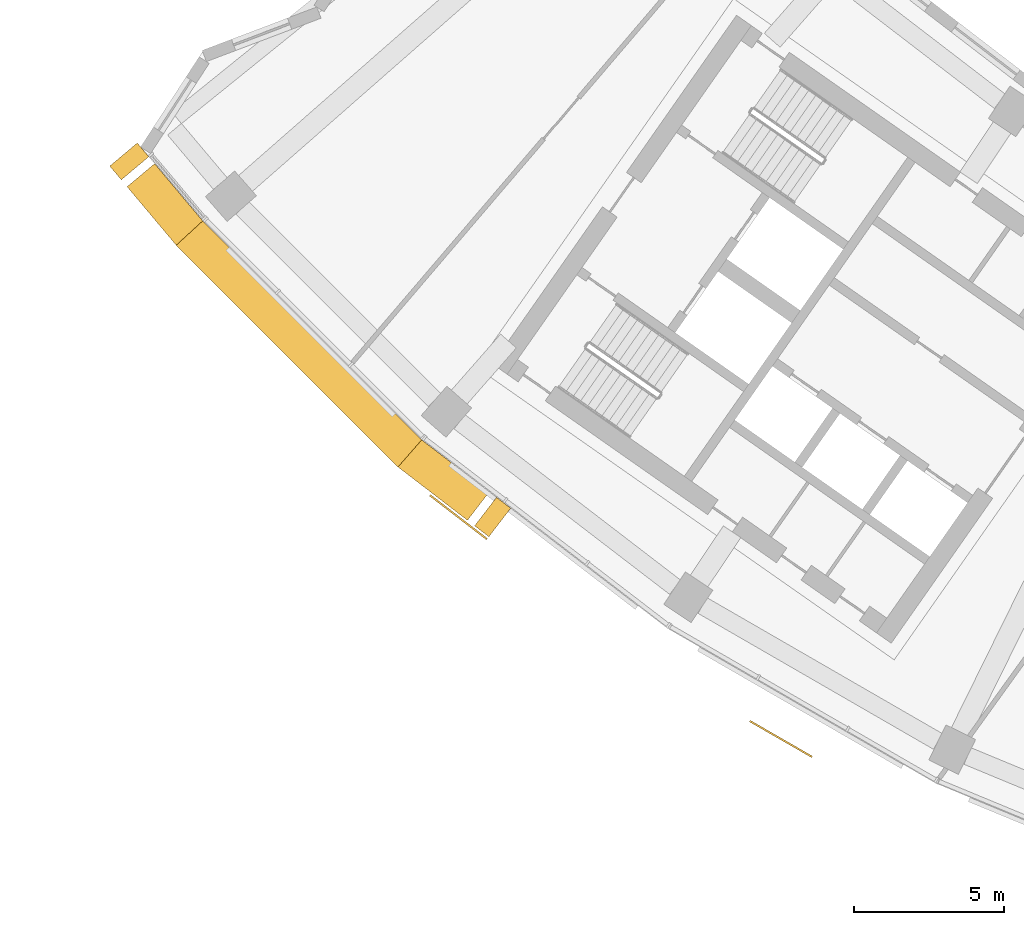
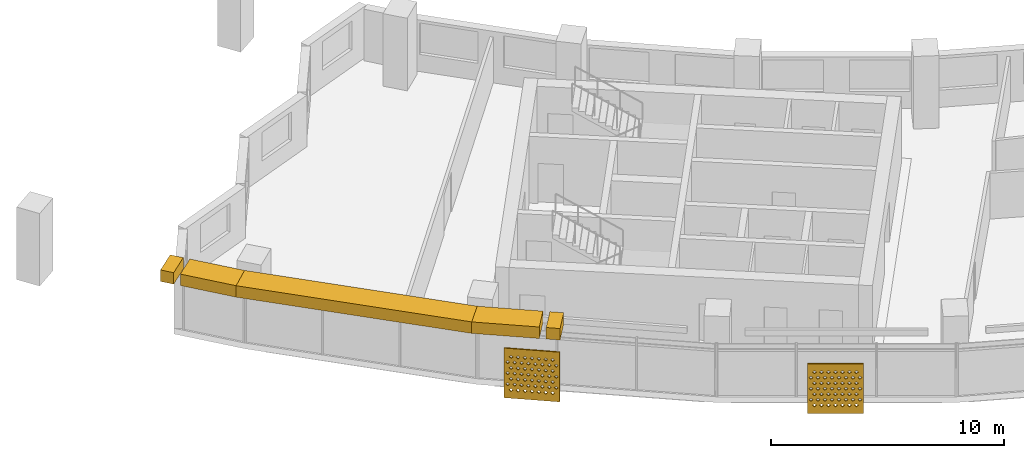
# One storey, part 23 of 26: 7 shading devices.
"""IFC4 building model written with IfcOpenShell, lengths in metres."""

import ifcopenshell
import ifcopenshell.guid

model = None  # the IFC model being written
_history = None  # IfcOwnerHistory: only IFC2X3 demands one
_inside = {}  # id of a spatial element -> (the spatial element, [elements in it])
_under = {}  # id of a project, library or spatial element -> (it, [spatial elements below it])
_declared = {}  # id of a project -> (the project, [libraries it declares])
_typed = {}  # id of a type object -> (the type object, [elements of that type])
_made_of = {}  # id of a material, layer set ... -> (it, [elements and type objects made of it])


def new_model(schema):
    """Start an empty IFC model of exactly this schema.

    Asked for "IFC4X3", IfcOpenShell would pick the latest addendum, in which some entities
    have other attributes; the version numbers below select the first issue.
    IFC2X3 requires an IfcOwnerHistory on every rooted entity: one is made here for all.
    """
    global model, _history
    if schema == "IFC4X3":
        model = ifcopenshell.file(schema_version=(4, 3, 0, 0))
    else:
        model = ifcopenshell.file(schema=schema)
    _inside.clear()
    _under.clear()
    _declared.clear()
    _typed.clear()
    _made_of.clear()
    _history = None
    if model.schema == "IFC2X3":
        org = make("IfcOrganization", Name="unknown")
        user = make(
            "IfcPersonAndOrganization",
            ThePerson=make("IfcPerson", FamilyName="unknown"),
            TheOrganization=org,
        )
        app = make(
            "IfcApplication",
            ApplicationDeveloper=org,
            Version="unknown",
            ApplicationFullName="unknown",
            ApplicationIdentifier="unknown",
        )
        _history = make(
            "IfcOwnerHistory",
            OwningUser=user,
            OwningApplication=app,
            ChangeAction="ADDED",
            CreationDate=0,
        )
    return model


def make(cls, **values):
    """One entity of the class cls with the attributes given. An attribute that is None is left unset."""
    return model.create_entity(
        cls, **{name: value for name, value in values.items() if value is not None}
    )


def rooted(cls, **values):
    """An entity with a GlobalId (a new one), such as an element, a storey or a relation."""
    return make(cls, GlobalId=ifcopenshell.guid.new(), OwnerHistory=_history, **values)


def si_unit(unit_type, name, prefix=None):
    """IfcSIUnit, for example si_unit("LENGTHUNIT", "METRE", prefix="MILLI")."""
    return make("IfcSIUnit", UnitType=unit_type, Prefix=prefix, Name=name)


def assignment(units):
    """IfcUnitAssignment: the units of a project."""
    return None if units is None else make("IfcUnitAssignment", Units=units)


def point(xyz):
    """IfcCartesianPoint."""
    return None if xyz is None else make("IfcCartesianPoint", Coordinates=xyz)


def direction(xyz):
    """IfcDirection."""
    return None if xyz is None else make("IfcDirection", DirectionRatios=xyz)


def frame(location, z_axis=None, x_axis=None):
    """IfcAxis2Placement3D, a coordinate frame: its origin and axes. An axis left out is left unset."""
    return make(
        "IfcAxis2Placement3D",
        Location=point(location),
        Axis=direction(z_axis),
        RefDirection=direction(x_axis),
    )


def origin():
    """The frame at (0, 0, 0) with its axes left unset."""
    return frame((0.0, 0.0, 0.0))


def place(relative_to, where):
    """IfcLocalPlacement: puts the frame where relative to a parent placement (None: the world)."""
    return make(
        "IfcLocalPlacement", PlacementRelTo=relative_to, RelativePlacement=where
    )


def context(
    kind, dimensions, precision=None, world=None, true_north=None, identifier=None
):
    """IfcGeometricRepresentationContext, for example the 3D "Model" context."""
    return make(
        "IfcGeometricRepresentationContext",
        ContextIdentifier=identifier,
        ContextType=kind,
        CoordinateSpaceDimension=dimensions,
        Precision=precision,
        WorldCoordinateSystem=world,
        TrueNorth=true_north,
    )


def subcontext(parent, identifier, kind, view, scale=None):
    """IfcGeometricRepresentationSubContext, for example "Body" below "Model"."""
    return make(
        "IfcGeometricRepresentationSubContext",
        ContextIdentifier=identifier,
        ContextType=kind,
        ParentContext=parent,
        TargetScale=scale,
        TargetView=view,
    )


def project(units=None, contexts=None):
    """IfcProject with its units and contexts."""
    return rooted(
        "IfcProject",
        Name="project",
        RepresentationContexts=contexts,
        UnitsInContext=assignment(units),
    )


def spatial(cls, under=None, at=None, **own):
    """A site, building, storey or space (cls), placed at a placement, below another one or the project."""
    s = rooted(cls, ObjectPlacement=at, **own)
    if under is not None:
        _under.setdefault(under.id(), (under, []))[1].append(s)
    return s


def polyline(points):
    """IfcPolyline through the points."""
    return make("IfcPolyline", Points=[point(p) for p in points])


def outline(outer, holes=None, kind="AREA"):
    """IfcArbitraryClosedProfileDef: a profile drawn as a closed curve; with holes, ...WithVoids."""
    if holes is None:
        return make("IfcArbitraryClosedProfileDef", ProfileType=kind, OuterCurve=outer)
    return make(
        "IfcArbitraryProfileDefWithVoids",
        ProfileType=kind,
        OuterCurve=outer,
        InnerCurves=holes,
    )


def extrude(swept, where, along, depth):
    """IfcExtrudedAreaSolid: the profile swept, set in the frame where, extruded along a direction by depth."""
    return make(
        "IfcExtrudedAreaSolid",
        SweptArea=swept,
        Position=where,
        ExtrudedDirection=direction(along),
        Depth=depth,
    )


def shape(context_of_items, identifier, shape_type, items):
    """IfcShapeRepresentation: the items that make up one representation, for example the "Body"."""
    return make(
        "IfcShapeRepresentation",
        ContextOfItems=context_of_items,
        RepresentationIdentifier=identifier,
        RepresentationType=shape_type,
        Items=items,
    )


def material(Name=None, Category=None):
    """IfcMaterial."""
    return make("IfcMaterial", Name=Name, Category=Category)


def material_profile(
    of_material, cross_section, Name=None, Category=None, Priority=None
):
    """IfcMaterialProfile: a cross section and its material."""
    return make(
        "IfcMaterialProfile",
        Name=Name,
        Material=of_material,
        Profile=cross_section,
        Priority=Priority,
        Category=Category,
    )


def profile_set(profiles, Name=None, composite=None):
    """IfcMaterialProfileSet."""
    return make(
        "IfcMaterialProfileSet",
        Name=Name,
        MaterialProfiles=profiles,
        CompositeProfile=composite,
    )


def made_of(thing, what):
    """Note that an element or type object is made of a material, layer set ...; save() writes the relation."""
    if what is not None:
        _made_of.setdefault(what.id(), (what, []))[1].append(thing)
    return thing


def type_object(cls, material=None, **own):
    """A type object (cls), such as IfcWallType, which elements share."""
    return made_of(rooted(cls, **own), material)


def element(
    cls,
    number,
    at=None,
    inside=None,
    cuts=None,
    type_object=None,
    material=None,
    context=None,
    identifier="Body",
    shape_type=None,
    held_by="IfcProductDefinitionShape",
    body=None,
    shapes=None,
    **own,
):
    """One element of the class cls, such as IfcWall. Its Tag is "e" and its number.

    at: its placement. inside: the storey or other place that contains it. cuts: it is an
    opening in that element (IfcRelVoidsElement). A single representation is given by context,
    identifier, shape_type and body (its items); several are given by shapes. held_by: the class
    of the entity that holds the representations. save() writes the other relations.
    """
    e = rooted(cls, Tag="e%d" % number, ObjectPlacement=at, **own)
    if body is not None:
        shapes = [shape(context, identifier, shape_type, body)]
    if shapes is not None:
        e.Representation = make(held_by, Representations=shapes)
    if inside is not None:
        _inside.setdefault(inside.id(), (inside, []))[1].append(e)
    if cuts is not None:
        rooted(
            "IfcRelVoidsElement", RelatingBuildingElement=cuts, RelatedOpeningElement=e
        )
    if type_object is not None:
        _typed.setdefault(type_object.id(), (type_object, []))[1].append(e)
    return made_of(e, material)


def aggregate(whole, parts):
    """IfcRelAggregates: a whole, such as a stair, and the parts it consists of."""
    return rooted("IfcRelAggregates", RelatingObject=whole, RelatedObjects=parts)


def save(model, path):
    """Write the relations noted so far, then the file.

    IfcRelAggregates (storeys below a building ...), IfcRelContainedInSpatialStructure (elements
    in a storey), IfcRelDefinesByType, IfcRelAssociatesMaterial and IfcRelDeclares: one each for
    every whole, place, type object, material and project.
    """
    for whole, parts in _under.values():
        aggregate(whole, parts)
    for where, things in _inside.values():
        rooted(
            "IfcRelContainedInSpatialStructure",
            RelatedElements=things,
            RelatingStructure=where,
        )
    for kind, things in _typed.values():
        rooted("IfcRelDefinesByType", RelatedObjects=things, RelatingType=kind)
    for what, things in _made_of.values():
        rooted("IfcRelAssociatesMaterial", RelatedObjects=things, RelatingMaterial=what)
    for by, libraries in _declared.values():
        rooted("IfcRelDeclares", RelatingContext=by, RelatedDefinitions=libraries)
    model.write(path)


model = new_model("IFC4")

# Units and contexts
model_context = context("Model", 3, precision=1e-05, world=origin(), true_north=direction((0.0, 1.0)))
body_context = subcontext(model_context, "Body", "Model", "MODEL_VIEW")
ifc_project = project(units=[si_unit("LENGTHUNIT", "METRE"), si_unit("AREAUNIT", "SQUARE_METRE"), si_unit("VOLUMEUNIT", "CUBIC_METRE"), si_unit("PLANEANGLEUNIT", "RADIAN"), si_unit("MASSUNIT", "GRAM", prefix="KILO")], contexts=[model_context])

# Site, building, storey
site_placement = place(None, origin())
site = spatial("IfcSite", under=ifc_project, at=site_placement, CompositionType="ELEMENT")
building_placement = place(site_placement, origin())
building = spatial("IfcBuilding", under=site, at=building_placement, Name="Qamariyya Broadcast Tower", CompositionType="ELEMENT")
storey_placement = place(building_placement, frame((0.0, 0.0, 183.5)))
storey = spatial("IfcBuildingStorey", under=building, at=storey_placement, Name="L43", CompositionType="ELEMENT", Elevation=183.5)

# Shading devices
ifc_material_1 = material(Name="Steel S355 powder coated deep red", Category="steel")
shading_device_type_1 = type_object("IfcShadingDeviceType", Name="Deep red frame, powder coated steel box section", PredefinedType="USERDEFINED", material=ifc_material_1)
shading_device_1_placement = place(storey_placement, frame((0.0, 0.0, 3.199951171875)))
element("IfcShadingDevice", 1, at=shading_device_1_placement, inside=storey, type_object=shading_device_type_1, Name="e-frm-B3-F1-posta-L43", ObjectType="FRAME", PredefinedType="USERDEFINED", context=body_context, shape_type="SweptSolid", body=[
    extrude(outline(polyline([(-61.57958984375, -49.48681640625), (-62.498779296875, -50.25830078125), (-62.11279296875, -50.718017578125), (-61.19384765625, -49.9462890625), (-61.57958984375, -49.48681640625)])), origin(), (0.0, 0.0, 1.0), 0.60009765625),
])
shading_device_2_placement = place(storey_placement, frame((0.0, 0.0, 3.199951171875)))
element("IfcShadingDevice", 2, at=shading_device_2_placement, inside=storey, type_object=shading_device_type_1, Name="e-frm-B3-F1-postb-L43", ObjectType="FRAME", PredefinedType="USERDEFINED", context=body_context, shape_type="SweptSolid", body=[
    extrude(outline(polyline([(-49.593505859375, -61.3095703125), (-50.323974609375, -62.26171875), (-49.84814453125, -62.626953125), (-49.11767578125, -61.6748046875), (-49.593505859375, -61.3095703125)])), origin(), (0.0, 0.0, 1.0), 0.60009765625),
])
shading_device_3_placement = place(storey_placement, frame((0.0, 0.0, 3.199951171875)))
element("IfcShadingDevice", 3, at=shading_device_3_placement, inside=storey, type_object=shading_device_type_1, Name="e-frm-B3-F1-bot0", ObjectType="FRAME", PredefinedType="USERDEFINED", context=body_context, shape_type="SweptSolid", body=[
    extrude(outline(polyline([(-61.0009765625, -50.176025390625), (-61.919921875, -50.94775390625), (-60.28076171875, -52.89990234375), (-59.395263671875, -52.08837890625), (-61.0009765625, -50.176025390625)])), origin(), (0.0, 0.0, 1.0), 0.60009765625),
])
shading_device_4_placement = place(storey_placement, frame((0.0, 0.0, 3.199951171875)))
element("IfcShadingDevice", 4, at=shading_device_4_placement, inside=storey, type_object=shading_device_type_1, Name="e-frm-B3-F1-bot1", ObjectType="FRAME", PredefinedType="USERDEFINED", context=body_context, shape_type="SweptSolid", body=[
    extrude(outline(polyline([(-59.395263671875, -52.08837890625), (-60.28076171875, -52.89990234375), (-52.88134765625, -60.299560546875), (-52.08837890625, -59.395263671875), (-59.395263671875, -52.08837890625)])), origin(), (0.0, 0.0, 1.0), 0.60009765625),
])
shading_device_5_placement = place(storey_placement, frame((0.0, 0.0, 3.199951171875)))
element("IfcShadingDevice", 5, at=shading_device_5_placement, inside=storey, type_object=shading_device_type_1, Name="e-frm-B3-F1-bot2", ObjectType="FRAME", PredefinedType="USERDEFINED", context=body_context, shape_type="SweptSolid", body=[
    extrude(outline(polyline([(-52.08837890625, -59.395263671875), (-52.88134765625, -60.299560546875), (-50.56201171875, -62.0791015625), (-49.83154296875, -61.126953125), (-52.08837890625, -59.395263671875)])), origin(), (0.0, 0.0, 1.0), 0.60009765625),
])
ifc_material_2 = material(Name="Perforated glazed terracotta", Category="masonry")
ifc_material_profile = material_profile(ifc_material_2, outline(polyline([(-1.199951171875, -1.300048828125), (1.199951171875, -1.300048828125), (1.199951171875, 1.300048828125), (-1.199951171875, 1.300048828125), (-1.199951171875, -1.300048828125)]), holes=[polyline([(-0.81494140625, -0.86669921875), (-0.89990234375, -0.78173828125), (-0.985107421875, -0.86669921875), (-0.89990234375, -0.95166015625), (-0.81494140625, -0.86669921875)]), polyline([(-0.514892578125, -0.86669921875), (-0.60009765625, -0.78173828125), (-0.68505859375, -0.86669921875), (-0.60009765625, -0.95166015625), (-0.514892578125, -0.86669921875)]), polyline([(-0.215087890625, -0.86669921875), (-0.300048828125, -0.78173828125), (-0.385009765625, -0.86669921875), (-0.300048828125, -0.95166015625), (-0.215087890625, -0.86669921875)]), polyline([(0.0849609375, -0.86669921875), (0.0, -0.78173828125), (-0.0849609375, -0.86669921875), (0.0, -0.95166015625), (0.0849609375, -0.86669921875)]), polyline([(0.385009765625, -0.86669921875), (0.300048828125, -0.78173828125), (0.215087890625, -0.86669921875), (0.300048828125, -0.95166015625), (0.385009765625, -0.86669921875)]), polyline([(0.68505859375, -0.86669921875), (0.60009765625, -0.78173828125), (0.514892578125, -0.86669921875), (0.60009765625, -0.95166015625), (0.68505859375, -0.86669921875)]), polyline([(0.985107421875, -0.86669921875), (0.89990234375, -0.78173828125), (0.81494140625, -0.86669921875), (0.89990234375, -0.95166015625), (0.985107421875, -0.86669921875)]), polyline([(-0.965087890625, -0.577880859375), (-1.050048828125, -0.49267578125), (-1.135009765625, -0.577880859375), (-1.050048828125, -0.662841796875), (-0.965087890625, -0.577880859375)]), polyline([(-0.6650390625, -0.577880859375), (-0.75, -0.49267578125), (-0.8349609375, -0.577880859375), (-0.75, -0.662841796875), (-0.6650390625, -0.577880859375)]), polyline([(-0.364990234375, -0.577880859375), (-0.449951171875, -0.49267578125), (-0.534912109375, -0.577880859375), (-0.449951171875, -0.662841796875), (-0.364990234375, -0.577880859375)]), polyline([(-0.06494140625, -0.577880859375), (-0.14990234375, -0.49267578125), (-0.235107421875, -0.577880859375), (-0.14990234375, -0.662841796875), (-0.06494140625, -0.577880859375)]), polyline([(0.235107421875, -0.577880859375), (0.14990234375, -0.49267578125), (0.06494140625, -0.577880859375), (0.14990234375, -0.662841796875), (0.235107421875, -0.577880859375)]), polyline([(0.534912109375, -0.577880859375), (0.449951171875, -0.49267578125), (0.364990234375, -0.577880859375), (0.449951171875, -0.662841796875), (0.534912109375, -0.577880859375)]), polyline([(0.8349609375, -0.577880859375), (0.75, -0.49267578125), (0.6650390625, -0.577880859375), (0.75, -0.662841796875), (0.8349609375, -0.577880859375)]), polyline([(1.135009765625, -0.577880859375), (1.050048828125, -0.49267578125), (0.965087890625, -0.577880859375), (1.050048828125, -0.662841796875), (1.135009765625, -0.577880859375)]), polyline([(-0.81494140625, -0.288818359375), (-0.89990234375, -0.203857421875), (-0.985107421875, -0.288818359375), (-0.89990234375, -0.373779296875), (-0.81494140625, -0.288818359375)]), polyline([(-0.514892578125, -0.288818359375), (-0.60009765625, -0.203857421875), (-0.68505859375, -0.288818359375), (-0.60009765625, -0.373779296875), (-0.514892578125, -0.288818359375)]), polyline([(-0.215087890625, -0.288818359375), (-0.300048828125, -0.203857421875), (-0.385009765625, -0.288818359375), (-0.300048828125, -0.373779296875), (-0.215087890625, -0.288818359375)]), polyline([(0.0849609375, -0.288818359375), (0.0, -0.203857421875), (-0.0849609375, -0.288818359375), (0.0, -0.373779296875), (0.0849609375, -0.288818359375)]), polyline([(0.385009765625, -0.288818359375), (0.300048828125, -0.203857421875), (0.215087890625, -0.288818359375), (0.300048828125, -0.373779296875), (0.385009765625, -0.288818359375)]), polyline([(0.68505859375, -0.288818359375), (0.60009765625, -0.203857421875), (0.514892578125, -0.288818359375), (0.60009765625, -0.373779296875), (0.68505859375, -0.288818359375)]), polyline([(0.985107421875, -0.288818359375), (0.89990234375, -0.203857421875), (0.81494140625, -0.288818359375), (0.89990234375, -0.373779296875), (0.985107421875, -0.288818359375)]), polyline([(-0.965087890625, 0.0), (-1.050048828125, 0.0849609375), (-1.135009765625, 0.0), (-1.050048828125, -0.0849609375), (-0.965087890625, 0.0)]), polyline([(-0.6650390625, 0.0), (-0.75, 0.0849609375), (-0.8349609375, 0.0), (-0.75, -0.0849609375), (-0.6650390625, 0.0)]), polyline([(-0.364990234375, 0.0), (-0.449951171875, 0.0849609375), (-0.534912109375, 0.0), (-0.449951171875, -0.0849609375), (-0.364990234375, 0.0)]), polyline([(-0.06494140625, 0.0), (-0.14990234375, 0.0849609375), (-0.235107421875, 0.0), (-0.14990234375, -0.0849609375), (-0.06494140625, 0.0)]), polyline([(0.235107421875, 0.0), (0.14990234375, 0.0849609375), (0.06494140625, 0.0), (0.14990234375, -0.0849609375), (0.235107421875, 0.0)]), polyline([(0.534912109375, 0.0), (0.449951171875, 0.0849609375), (0.364990234375, 0.0), (0.449951171875, -0.0849609375), (0.534912109375, 0.0)]), polyline([(0.8349609375, 0.0), (0.75, 0.0849609375), (0.6650390625, 0.0), (0.75, -0.0849609375), (0.8349609375, 0.0)]), polyline([(1.135009765625, 0.0), (1.050048828125, 0.0849609375), (0.965087890625, 0.0), (1.050048828125, -0.0849609375), (1.135009765625, 0.0)]), polyline([(-0.81494140625, 0.288818359375), (-0.89990234375, 0.373779296875), (-0.985107421875, 0.288818359375), (-0.89990234375, 0.203857421875), (-0.81494140625, 0.288818359375)]), polyline([(-0.514892578125, 0.288818359375), (-0.60009765625, 0.373779296875), (-0.68505859375, 0.288818359375), (-0.60009765625, 0.203857421875), (-0.514892578125, 0.288818359375)]), polyline([(-0.215087890625, 0.288818359375), (-0.300048828125, 0.373779296875), (-0.385009765625, 0.288818359375), (-0.300048828125, 0.203857421875), (-0.215087890625, 0.288818359375)]), polyline([(0.0849609375, 0.288818359375), (0.0, 0.373779296875), (-0.0849609375, 0.288818359375), (0.0, 0.203857421875), (0.0849609375, 0.288818359375)]), polyline([(0.385009765625, 0.288818359375), (0.300048828125, 0.373779296875), (0.215087890625, 0.288818359375), (0.300048828125, 0.203857421875), (0.385009765625, 0.288818359375)]), polyline([(0.68505859375, 0.288818359375), (0.60009765625, 0.373779296875), (0.514892578125, 0.288818359375), (0.60009765625, 0.203857421875), (0.68505859375, 0.288818359375)]), polyline([(0.985107421875, 0.288818359375), (0.89990234375, 0.373779296875), (0.81494140625, 0.288818359375), (0.89990234375, 0.203857421875), (0.985107421875, 0.288818359375)]), polyline([(-0.965087890625, 0.577880859375), (-1.050048828125, 0.662841796875), (-1.135009765625, 0.577880859375), (-1.050048828125, 0.49267578125), (-0.965087890625, 0.577880859375)]), polyline([(-0.6650390625, 0.577880859375), (-0.75, 0.662841796875), (-0.8349609375, 0.577880859375), (-0.75, 0.49267578125), (-0.6650390625, 0.577880859375)]), polyline([(-0.364990234375, 0.577880859375), (-0.449951171875, 0.662841796875), (-0.534912109375, 0.577880859375), (-0.449951171875, 0.49267578125), (-0.364990234375, 0.577880859375)]), polyline([(-0.06494140625, 0.577880859375), (-0.14990234375, 0.662841796875), (-0.235107421875, 0.577880859375), (-0.14990234375, 0.49267578125), (-0.06494140625, 0.577880859375)]), polyline([(0.235107421875, 0.577880859375), (0.14990234375, 0.662841796875), (0.06494140625, 0.577880859375), (0.14990234375, 0.49267578125), (0.235107421875, 0.577880859375)]), polyline([(0.534912109375, 0.577880859375), (0.449951171875, 0.662841796875), (0.364990234375, 0.577880859375), (0.449951171875, 0.49267578125), (0.534912109375, 0.577880859375)]), polyline([(0.8349609375, 0.577880859375), (0.75, 0.662841796875), (0.6650390625, 0.577880859375), (0.75, 0.49267578125), (0.8349609375, 0.577880859375)]), polyline([(1.135009765625, 0.577880859375), (1.050048828125, 0.662841796875), (0.965087890625, 0.577880859375), (1.050048828125, 0.49267578125), (1.135009765625, 0.577880859375)]), polyline([(-0.81494140625, 0.86669921875), (-0.89990234375, 0.95166015625), (-0.985107421875, 0.86669921875), (-0.89990234375, 0.78173828125), (-0.81494140625, 0.86669921875)]), polyline([(-0.514892578125, 0.86669921875), (-0.60009765625, 0.95166015625), (-0.68505859375, 0.86669921875), (-0.60009765625, 0.78173828125), (-0.514892578125, 0.86669921875)]), polyline([(-0.215087890625, 0.86669921875), (-0.300048828125, 0.95166015625), (-0.385009765625, 0.86669921875), (-0.300048828125, 0.78173828125), (-0.215087890625, 0.86669921875)]), polyline([(0.0849609375, 0.86669921875), (0.0, 0.95166015625), (-0.0849609375, 0.86669921875), (0.0, 0.78173828125), (0.0849609375, 0.86669921875)]), polyline([(0.385009765625, 0.86669921875), (0.300048828125, 0.95166015625), (0.215087890625, 0.86669921875), (0.300048828125, 0.78173828125), (0.385009765625, 0.86669921875)]), polyline([(0.68505859375, 0.86669921875), (0.60009765625, 0.95166015625), (0.514892578125, 0.86669921875), (0.60009765625, 0.78173828125), (0.68505859375, 0.86669921875)]), polyline([(0.985107421875, 0.86669921875), (0.89990234375, 0.95166015625), (0.81494140625, 0.86669921875), (0.89990234375, 0.78173828125), (0.985107421875, 0.86669921875)])]))
ifc_profile_set = profile_set([ifc_material_profile], Name="Perforated glazed terracotta")
shading_device_type_2 = type_object("IfcShadingDeviceType", Name="Perforated terracotta screen 2400 x 2600", PredefinedType="USERDEFINED", material=ifc_profile_set)
shading_device_6_placement = place(storey_placement, frame((-50.844970703125, -61.9501953125, 1.35009765625), z_axis=(-0.60971076085, -0.792623989105, 0.0), x_axis=(0.792623989105, -0.60971076085, 0.0)))
element("IfcShadingDevice", 6, at=shading_device_6_placement, inside=storey, type_object=shading_device_type_2, Name="e-scr-L43-02-0", ObjectType="SCREEN", PredefinedType="USERDEFINED", context=body_context, shape_type="SweptSolid", body=[
    extrude(outline(polyline([(-1.199951171875, -1.300048828125), (1.199951171875, -1.300048828125), (1.199951171875, 1.300048828125), (-1.199951171875, 1.300048828125), (-1.199951171875, -1.300048828125)]), holes=[polyline([(-0.81494140625, -0.86669921875), (-0.89990234375, -0.78173828125), (-0.985107421875, -0.86669921875), (-0.89990234375, -0.95166015625), (-0.81494140625, -0.86669921875)]), polyline([(-0.514892578125, -0.86669921875), (-0.60009765625, -0.78173828125), (-0.68505859375, -0.86669921875), (-0.60009765625, -0.95166015625), (-0.514892578125, -0.86669921875)]), polyline([(-0.215087890625, -0.86669921875), (-0.300048828125, -0.78173828125), (-0.385009765625, -0.86669921875), (-0.300048828125, -0.95166015625), (-0.215087890625, -0.86669921875)]), polyline([(0.0849609375, -0.86669921875), (0.0, -0.78173828125), (-0.0849609375, -0.86669921875), (0.0, -0.95166015625), (0.0849609375, -0.86669921875)]), polyline([(0.385009765625, -0.86669921875), (0.300048828125, -0.78173828125), (0.215087890625, -0.86669921875), (0.300048828125, -0.95166015625), (0.385009765625, -0.86669921875)]), polyline([(0.68505859375, -0.86669921875), (0.60009765625, -0.78173828125), (0.514892578125, -0.86669921875), (0.60009765625, -0.95166015625), (0.68505859375, -0.86669921875)]), polyline([(0.985107421875, -0.86669921875), (0.89990234375, -0.78173828125), (0.81494140625, -0.86669921875), (0.89990234375, -0.95166015625), (0.985107421875, -0.86669921875)]), polyline([(-0.965087890625, -0.577880859375), (-1.050048828125, -0.49267578125), (-1.135009765625, -0.577880859375), (-1.050048828125, -0.662841796875), (-0.965087890625, -0.577880859375)]), polyline([(-0.6650390625, -0.577880859375), (-0.75, -0.49267578125), (-0.8349609375, -0.577880859375), (-0.75, -0.662841796875), (-0.6650390625, -0.577880859375)]), polyline([(-0.364990234375, -0.577880859375), (-0.449951171875, -0.49267578125), (-0.534912109375, -0.577880859375), (-0.449951171875, -0.662841796875), (-0.364990234375, -0.577880859375)]), polyline([(-0.06494140625, -0.577880859375), (-0.14990234375, -0.49267578125), (-0.235107421875, -0.577880859375), (-0.14990234375, -0.662841796875), (-0.06494140625, -0.577880859375)]), polyline([(0.235107421875, -0.577880859375), (0.14990234375, -0.49267578125), (0.06494140625, -0.577880859375), (0.14990234375, -0.662841796875), (0.235107421875, -0.577880859375)]), polyline([(0.534912109375, -0.577880859375), (0.449951171875, -0.49267578125), (0.364990234375, -0.577880859375), (0.449951171875, -0.662841796875), (0.534912109375, -0.577880859375)]), polyline([(0.8349609375, -0.577880859375), (0.75, -0.49267578125), (0.6650390625, -0.577880859375), (0.75, -0.662841796875), (0.8349609375, -0.577880859375)]), polyline([(1.135009765625, -0.577880859375), (1.050048828125, -0.49267578125), (0.965087890625, -0.577880859375), (1.050048828125, -0.662841796875), (1.135009765625, -0.577880859375)]), polyline([(-0.81494140625, -0.288818359375), (-0.89990234375, -0.203857421875), (-0.985107421875, -0.288818359375), (-0.89990234375, -0.373779296875), (-0.81494140625, -0.288818359375)]), polyline([(-0.514892578125, -0.288818359375), (-0.60009765625, -0.203857421875), (-0.68505859375, -0.288818359375), (-0.60009765625, -0.373779296875), (-0.514892578125, -0.288818359375)]), polyline([(-0.215087890625, -0.288818359375), (-0.300048828125, -0.203857421875), (-0.385009765625, -0.288818359375), (-0.300048828125, -0.373779296875), (-0.215087890625, -0.288818359375)]), polyline([(0.0849609375, -0.288818359375), (0.0, -0.203857421875), (-0.0849609375, -0.288818359375), (0.0, -0.373779296875), (0.0849609375, -0.288818359375)]), polyline([(0.385009765625, -0.288818359375), (0.300048828125, -0.203857421875), (0.215087890625, -0.288818359375), (0.300048828125, -0.373779296875), (0.385009765625, -0.288818359375)]), polyline([(0.68505859375, -0.288818359375), (0.60009765625, -0.203857421875), (0.514892578125, -0.288818359375), (0.60009765625, -0.373779296875), (0.68505859375, -0.288818359375)]), polyline([(0.985107421875, -0.288818359375), (0.89990234375, -0.203857421875), (0.81494140625, -0.288818359375), (0.89990234375, -0.373779296875), (0.985107421875, -0.288818359375)]), polyline([(-0.965087890625, 0.0), (-1.050048828125, 0.0849609375), (-1.135009765625, 0.0), (-1.050048828125, -0.0849609375), (-0.965087890625, 0.0)]), polyline([(-0.6650390625, 0.0), (-0.75, 0.0849609375), (-0.8349609375, 0.0), (-0.75, -0.0849609375), (-0.6650390625, 0.0)]), polyline([(-0.364990234375, 0.0), (-0.449951171875, 0.0849609375), (-0.534912109375, 0.0), (-0.449951171875, -0.0849609375), (-0.364990234375, 0.0)]), polyline([(-0.06494140625, 0.0), (-0.14990234375, 0.0849609375), (-0.235107421875, 0.0), (-0.14990234375, -0.0849609375), (-0.06494140625, 0.0)]), polyline([(0.235107421875, 0.0), (0.14990234375, 0.0849609375), (0.06494140625, 0.0), (0.14990234375, -0.0849609375), (0.235107421875, 0.0)]), polyline([(0.534912109375, 0.0), (0.449951171875, 0.0849609375), (0.364990234375, 0.0), (0.449951171875, -0.0849609375), (0.534912109375, 0.0)]), polyline([(0.8349609375, 0.0), (0.75, 0.0849609375), (0.6650390625, 0.0), (0.75, -0.0849609375), (0.8349609375, 0.0)]), polyline([(1.135009765625, 0.0), (1.050048828125, 0.0849609375), (0.965087890625, 0.0), (1.050048828125, -0.0849609375), (1.135009765625, 0.0)]), polyline([(-0.81494140625, 0.288818359375), (-0.89990234375, 0.373779296875), (-0.985107421875, 0.288818359375), (-0.89990234375, 0.203857421875), (-0.81494140625, 0.288818359375)]), polyline([(-0.514892578125, 0.288818359375), (-0.60009765625, 0.373779296875), (-0.68505859375, 0.288818359375), (-0.60009765625, 0.203857421875), (-0.514892578125, 0.288818359375)]), polyline([(-0.215087890625, 0.288818359375), (-0.300048828125, 0.373779296875), (-0.385009765625, 0.288818359375), (-0.300048828125, 0.203857421875), (-0.215087890625, 0.288818359375)]), polyline([(0.0849609375, 0.288818359375), (0.0, 0.373779296875), (-0.0849609375, 0.288818359375), (0.0, 0.203857421875), (0.0849609375, 0.288818359375)]), polyline([(0.385009765625, 0.288818359375), (0.300048828125, 0.373779296875), (0.215087890625, 0.288818359375), (0.300048828125, 0.203857421875), (0.385009765625, 0.288818359375)]), polyline([(0.68505859375, 0.288818359375), (0.60009765625, 0.373779296875), (0.514892578125, 0.288818359375), (0.60009765625, 0.203857421875), (0.68505859375, 0.288818359375)]), polyline([(0.985107421875, 0.288818359375), (0.89990234375, 0.373779296875), (0.81494140625, 0.288818359375), (0.89990234375, 0.203857421875), (0.985107421875, 0.288818359375)]), polyline([(-0.965087890625, 0.577880859375), (-1.050048828125, 0.662841796875), (-1.135009765625, 0.577880859375), (-1.050048828125, 0.49267578125), (-0.965087890625, 0.577880859375)]), polyline([(-0.6650390625, 0.577880859375), (-0.75, 0.662841796875), (-0.8349609375, 0.577880859375), (-0.75, 0.49267578125), (-0.6650390625, 0.577880859375)]), polyline([(-0.364990234375, 0.577880859375), (-0.449951171875, 0.662841796875), (-0.534912109375, 0.577880859375), (-0.449951171875, 0.49267578125), (-0.364990234375, 0.577880859375)]), polyline([(-0.06494140625, 0.577880859375), (-0.14990234375, 0.662841796875), (-0.235107421875, 0.577880859375), (-0.14990234375, 0.49267578125), (-0.06494140625, 0.577880859375)]), polyline([(0.235107421875, 0.577880859375), (0.14990234375, 0.662841796875), (0.06494140625, 0.577880859375), (0.14990234375, 0.49267578125), (0.235107421875, 0.577880859375)]), polyline([(0.534912109375, 0.577880859375), (0.449951171875, 0.662841796875), (0.364990234375, 0.577880859375), (0.449951171875, 0.49267578125), (0.534912109375, 0.577880859375)]), polyline([(0.8349609375, 0.577880859375), (0.75, 0.662841796875), (0.6650390625, 0.577880859375), (0.75, 0.49267578125), (0.8349609375, 0.577880859375)]), polyline([(1.135009765625, 0.577880859375), (1.050048828125, 0.662841796875), (0.965087890625, 0.577880859375), (1.050048828125, 0.49267578125), (1.135009765625, 0.577880859375)]), polyline([(-0.81494140625, 0.86669921875), (-0.89990234375, 0.95166015625), (-0.985107421875, 0.86669921875), (-0.89990234375, 0.78173828125), (-0.81494140625, 0.86669921875)]), polyline([(-0.514892578125, 0.86669921875), (-0.60009765625, 0.95166015625), (-0.68505859375, 0.86669921875), (-0.60009765625, 0.78173828125), (-0.514892578125, 0.86669921875)]), polyline([(-0.215087890625, 0.86669921875), (-0.300048828125, 0.95166015625), (-0.385009765625, 0.86669921875), (-0.300048828125, 0.78173828125), (-0.215087890625, 0.86669921875)]), polyline([(0.0849609375, 0.86669921875), (0.0, 0.95166015625), (-0.0849609375, 0.86669921875), (0.0, 0.78173828125), (0.0849609375, 0.86669921875)]), polyline([(0.385009765625, 0.86669921875), (0.300048828125, 0.95166015625), (0.215087890625, 0.86669921875), (0.300048828125, 0.78173828125), (0.385009765625, 0.86669921875)]), polyline([(0.68505859375, 0.86669921875), (0.60009765625, 0.95166015625), (0.514892578125, 0.86669921875), (0.60009765625, 0.78173828125), (0.68505859375, 0.86669921875)]), polyline([(0.985107421875, 0.86669921875), (0.89990234375, 0.95166015625), (0.81494140625, 0.86669921875), (0.89990234375, 0.78173828125), (0.985107421875, 0.86669921875)])]), origin(), (0.0, 0.0, 1.0), 0.06005859375),
])
shading_device_7_placement = place(storey_placement, frame((-40.086669921875, -69.3486328125, 1.35009765625), z_axis=(-0.498778343083, -0.866729579783, 0.0), x_axis=(0.866729579783, -0.498778343083, 0.0)))
element("IfcShadingDevice", 7, at=shading_device_7_placement, inside=storey, type_object=shading_device_type_2, Name="e-scr-L43-03-1", ObjectType="SCREEN", PredefinedType="USERDEFINED", context=body_context, shape_type="SweptSolid", body=[
    extrude(outline(polyline([(-1.199951171875, -1.300048828125), (1.199951171875, -1.300048828125), (1.199951171875, 1.300048828125), (-1.199951171875, 1.300048828125), (-1.199951171875, -1.300048828125)]), holes=[polyline([(-0.81494140625, -0.86669921875), (-0.89990234375, -0.78173828125), (-0.985107421875, -0.86669921875), (-0.89990234375, -0.95166015625), (-0.81494140625, -0.86669921875)]), polyline([(-0.514892578125, -0.86669921875), (-0.60009765625, -0.78173828125), (-0.68505859375, -0.86669921875), (-0.60009765625, -0.95166015625), (-0.514892578125, -0.86669921875)]), polyline([(-0.215087890625, -0.86669921875), (-0.300048828125, -0.78173828125), (-0.385009765625, -0.86669921875), (-0.300048828125, -0.95166015625), (-0.215087890625, -0.86669921875)]), polyline([(0.0849609375, -0.86669921875), (0.0, -0.78173828125), (-0.0849609375, -0.86669921875), (0.0, -0.95166015625), (0.0849609375, -0.86669921875)]), polyline([(0.385009765625, -0.86669921875), (0.300048828125, -0.78173828125), (0.215087890625, -0.86669921875), (0.300048828125, -0.95166015625), (0.385009765625, -0.86669921875)]), polyline([(0.68505859375, -0.86669921875), (0.60009765625, -0.78173828125), (0.514892578125, -0.86669921875), (0.60009765625, -0.95166015625), (0.68505859375, -0.86669921875)]), polyline([(0.985107421875, -0.86669921875), (0.89990234375, -0.78173828125), (0.81494140625, -0.86669921875), (0.89990234375, -0.95166015625), (0.985107421875, -0.86669921875)]), polyline([(-0.965087890625, -0.577880859375), (-1.050048828125, -0.49267578125), (-1.135009765625, -0.577880859375), (-1.050048828125, -0.662841796875), (-0.965087890625, -0.577880859375)]), polyline([(-0.6650390625, -0.577880859375), (-0.75, -0.49267578125), (-0.8349609375, -0.577880859375), (-0.75, -0.662841796875), (-0.6650390625, -0.577880859375)]), polyline([(-0.364990234375, -0.577880859375), (-0.449951171875, -0.49267578125), (-0.534912109375, -0.577880859375), (-0.449951171875, -0.662841796875), (-0.364990234375, -0.577880859375)]), polyline([(-0.06494140625, -0.577880859375), (-0.14990234375, -0.49267578125), (-0.235107421875, -0.577880859375), (-0.14990234375, -0.662841796875), (-0.06494140625, -0.577880859375)]), polyline([(0.235107421875, -0.577880859375), (0.14990234375, -0.49267578125), (0.06494140625, -0.577880859375), (0.14990234375, -0.662841796875), (0.235107421875, -0.577880859375)]), polyline([(0.534912109375, -0.577880859375), (0.449951171875, -0.49267578125), (0.364990234375, -0.577880859375), (0.449951171875, -0.662841796875), (0.534912109375, -0.577880859375)]), polyline([(0.8349609375, -0.577880859375), (0.75, -0.49267578125), (0.6650390625, -0.577880859375), (0.75, -0.662841796875), (0.8349609375, -0.577880859375)]), polyline([(1.135009765625, -0.577880859375), (1.050048828125, -0.49267578125), (0.965087890625, -0.577880859375), (1.050048828125, -0.662841796875), (1.135009765625, -0.577880859375)]), polyline([(-0.81494140625, -0.288818359375), (-0.89990234375, -0.203857421875), (-0.985107421875, -0.288818359375), (-0.89990234375, -0.373779296875), (-0.81494140625, -0.288818359375)]), polyline([(-0.514892578125, -0.288818359375), (-0.60009765625, -0.203857421875), (-0.68505859375, -0.288818359375), (-0.60009765625, -0.373779296875), (-0.514892578125, -0.288818359375)]), polyline([(-0.215087890625, -0.288818359375), (-0.300048828125, -0.203857421875), (-0.385009765625, -0.288818359375), (-0.300048828125, -0.373779296875), (-0.215087890625, -0.288818359375)]), polyline([(0.0849609375, -0.288818359375), (0.0, -0.203857421875), (-0.0849609375, -0.288818359375), (0.0, -0.373779296875), (0.0849609375, -0.288818359375)]), polyline([(0.385009765625, -0.288818359375), (0.300048828125, -0.203857421875), (0.215087890625, -0.288818359375), (0.300048828125, -0.373779296875), (0.385009765625, -0.288818359375)]), polyline([(0.68505859375, -0.288818359375), (0.60009765625, -0.203857421875), (0.514892578125, -0.288818359375), (0.60009765625, -0.373779296875), (0.68505859375, -0.288818359375)]), polyline([(0.985107421875, -0.288818359375), (0.89990234375, -0.203857421875), (0.81494140625, -0.288818359375), (0.89990234375, -0.373779296875), (0.985107421875, -0.288818359375)]), polyline([(-0.965087890625, 0.0), (-1.050048828125, 0.0849609375), (-1.135009765625, 0.0), (-1.050048828125, -0.0849609375), (-0.965087890625, 0.0)]), polyline([(-0.6650390625, 0.0), (-0.75, 0.0849609375), (-0.8349609375, 0.0), (-0.75, -0.0849609375), (-0.6650390625, 0.0)]), polyline([(-0.364990234375, 0.0), (-0.449951171875, 0.0849609375), (-0.534912109375, 0.0), (-0.449951171875, -0.0849609375), (-0.364990234375, 0.0)]), polyline([(-0.06494140625, 0.0), (-0.14990234375, 0.0849609375), (-0.235107421875, 0.0), (-0.14990234375, -0.0849609375), (-0.06494140625, 0.0)]), polyline([(0.235107421875, 0.0), (0.14990234375, 0.0849609375), (0.06494140625, 0.0), (0.14990234375, -0.0849609375), (0.235107421875, 0.0)]), polyline([(0.534912109375, 0.0), (0.449951171875, 0.0849609375), (0.364990234375, 0.0), (0.449951171875, -0.0849609375), (0.534912109375, 0.0)]), polyline([(0.8349609375, 0.0), (0.75, 0.0849609375), (0.6650390625, 0.0), (0.75, -0.0849609375), (0.8349609375, 0.0)]), polyline([(1.135009765625, 0.0), (1.050048828125, 0.0849609375), (0.965087890625, 0.0), (1.050048828125, -0.0849609375), (1.135009765625, 0.0)]), polyline([(-0.81494140625, 0.288818359375), (-0.89990234375, 0.373779296875), (-0.985107421875, 0.288818359375), (-0.89990234375, 0.203857421875), (-0.81494140625, 0.288818359375)]), polyline([(-0.514892578125, 0.288818359375), (-0.60009765625, 0.373779296875), (-0.68505859375, 0.288818359375), (-0.60009765625, 0.203857421875), (-0.514892578125, 0.288818359375)]), polyline([(-0.215087890625, 0.288818359375), (-0.300048828125, 0.373779296875), (-0.385009765625, 0.288818359375), (-0.300048828125, 0.203857421875), (-0.215087890625, 0.288818359375)]), polyline([(0.0849609375, 0.288818359375), (0.0, 0.373779296875), (-0.0849609375, 0.288818359375), (0.0, 0.203857421875), (0.0849609375, 0.288818359375)]), polyline([(0.385009765625, 0.288818359375), (0.300048828125, 0.373779296875), (0.215087890625, 0.288818359375), (0.300048828125, 0.203857421875), (0.385009765625, 0.288818359375)]), polyline([(0.68505859375, 0.288818359375), (0.60009765625, 0.373779296875), (0.514892578125, 0.288818359375), (0.60009765625, 0.203857421875), (0.68505859375, 0.288818359375)]), polyline([(0.985107421875, 0.288818359375), (0.89990234375, 0.373779296875), (0.81494140625, 0.288818359375), (0.89990234375, 0.203857421875), (0.985107421875, 0.288818359375)]), polyline([(-0.965087890625, 0.577880859375), (-1.050048828125, 0.662841796875), (-1.135009765625, 0.577880859375), (-1.050048828125, 0.49267578125), (-0.965087890625, 0.577880859375)]), polyline([(-0.6650390625, 0.577880859375), (-0.75, 0.662841796875), (-0.8349609375, 0.577880859375), (-0.75, 0.49267578125), (-0.6650390625, 0.577880859375)]), polyline([(-0.364990234375, 0.577880859375), (-0.449951171875, 0.662841796875), (-0.534912109375, 0.577880859375), (-0.449951171875, 0.49267578125), (-0.364990234375, 0.577880859375)]), polyline([(-0.06494140625, 0.577880859375), (-0.14990234375, 0.662841796875), (-0.235107421875, 0.577880859375), (-0.14990234375, 0.49267578125), (-0.06494140625, 0.577880859375)]), polyline([(0.235107421875, 0.577880859375), (0.14990234375, 0.662841796875), (0.06494140625, 0.577880859375), (0.14990234375, 0.49267578125), (0.235107421875, 0.577880859375)]), polyline([(0.534912109375, 0.577880859375), (0.449951171875, 0.662841796875), (0.364990234375, 0.577880859375), (0.449951171875, 0.49267578125), (0.534912109375, 0.577880859375)]), polyline([(0.8349609375, 0.577880859375), (0.75, 0.662841796875), (0.6650390625, 0.577880859375), (0.75, 0.49267578125), (0.8349609375, 0.577880859375)]), polyline([(1.135009765625, 0.577880859375), (1.050048828125, 0.662841796875), (0.965087890625, 0.577880859375), (1.050048828125, 0.49267578125), (1.135009765625, 0.577880859375)]), polyline([(-0.81494140625, 0.86669921875), (-0.89990234375, 0.95166015625), (-0.985107421875, 0.86669921875), (-0.89990234375, 0.78173828125), (-0.81494140625, 0.86669921875)]), polyline([(-0.514892578125, 0.86669921875), (-0.60009765625, 0.95166015625), (-0.68505859375, 0.86669921875), (-0.60009765625, 0.78173828125), (-0.514892578125, 0.86669921875)]), polyline([(-0.215087890625, 0.86669921875), (-0.300048828125, 0.95166015625), (-0.385009765625, 0.86669921875), (-0.300048828125, 0.78173828125), (-0.215087890625, 0.86669921875)]), polyline([(0.0849609375, 0.86669921875), (0.0, 0.95166015625), (-0.0849609375, 0.86669921875), (0.0, 0.78173828125), (0.0849609375, 0.86669921875)]), polyline([(0.385009765625, 0.86669921875), (0.300048828125, 0.95166015625), (0.215087890625, 0.86669921875), (0.300048828125, 0.78173828125), (0.385009765625, 0.86669921875)]), polyline([(0.68505859375, 0.86669921875), (0.60009765625, 0.95166015625), (0.514892578125, 0.86669921875), (0.60009765625, 0.78173828125), (0.68505859375, 0.86669921875)]), polyline([(0.985107421875, 0.86669921875), (0.89990234375, 0.95166015625), (0.81494140625, 0.86669921875), (0.89990234375, 0.78173828125), (0.985107421875, 0.86669921875)])]), origin(), (0.0, 0.0, 1.0), 0.059814453125),
])

save(model, "model.ifc")
